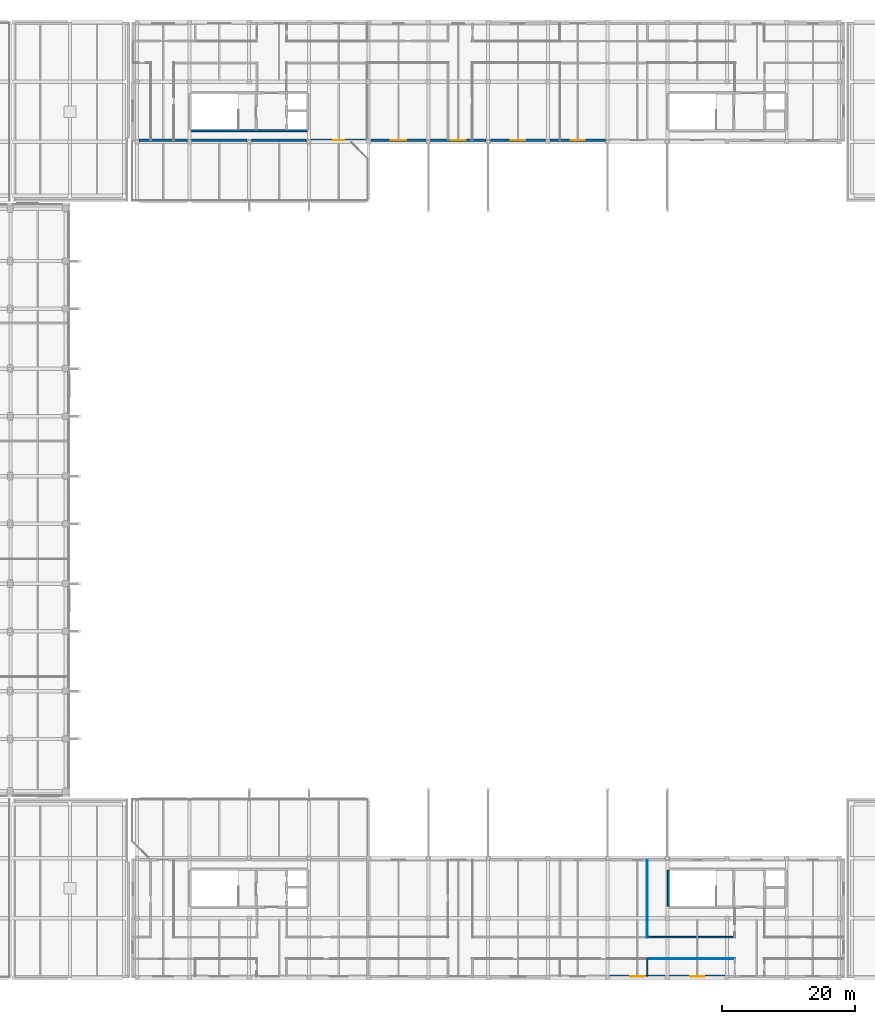
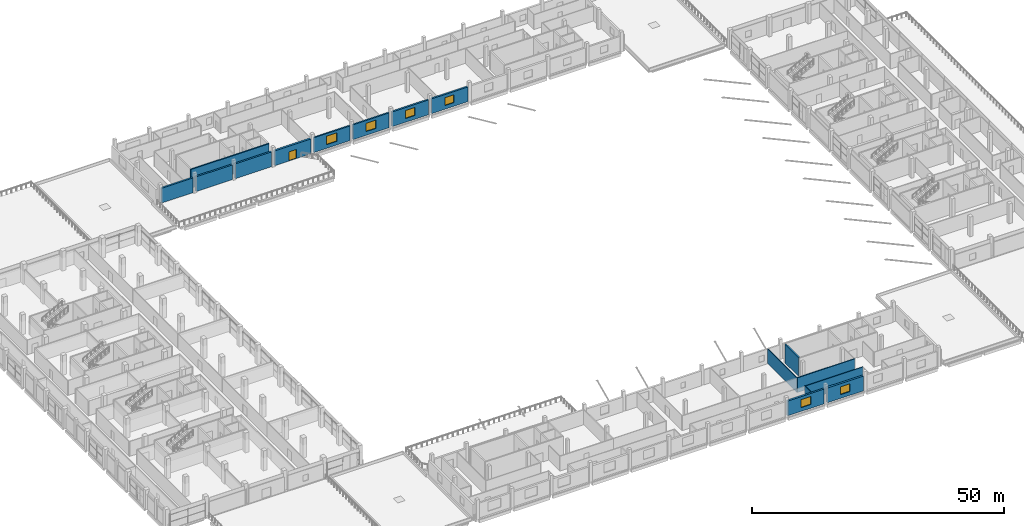
# One storey, part 52 of 82: 16 walls, 6 windows, 1 door, 7 openings.
"""IFC4 building model written with IfcOpenShell, lengths in metres."""

from ifc_helpers import new_model, si_unit, direction, frame, frame_2d, origin, place, context, subcontext, project, spatial, rectangle, extrude, material, layer, layer_set, type_object, element, fill, save


model = new_model("IFC4")

# Units and contexts
model_context = context("Model", 3, precision=1e-05, world=origin(), true_north=direction((0.0, 1.0)))
body_context = subcontext(model_context, "Body", "Model", "MODEL_VIEW")
ifc_project = project(units=[si_unit("LENGTHUNIT", "METRE"), si_unit("AREAUNIT", "SQUARE_METRE"), si_unit("VOLUMEUNIT", "CUBIC_METRE"), si_unit("PLANEANGLEUNIT", "RADIAN"), si_unit("MASSUNIT", "GRAM", prefix="KILO"), si_unit("THERMODYNAMICTEMPERATUREUNIT", "KELVIN"), si_unit("POWERUNIT", "WATT")], contexts=[model_context])

# Site, building, storey
site_placement = place(None, origin())
site = spatial("IfcSite", under=ifc_project, at=site_placement, CompositionType="ELEMENT")
building_placement = place(site_placement, origin())
building = spatial("IfcBuilding", under=site, at=building_placement, Name="Sindhuravela Promenade Stadium", CompositionType="ELEMENT")
storey_placement = place(building_placement, frame((0.0, 0.0, 14.39990234375)))
storey = spatial("IfcBuildingStorey", under=building, at=storey_placement, Name="L03", CompositionType="ELEMENT", Elevation=14.39990234375)

# Wall, opening, window
ifc_material_1 = material(Name="Terracotta clay brick masonry (15 MPa)", Category="masonry")
ifc_layer_1 = layer(ifc_material_1, 0.340087890625)
ifc_layer_set_1 = layer_set([ifc_layer_1], Name="Terracotta clay brick masonry (15 MPa)")
wall_type_1 = type_object("IfcWallType", Name="EX-WL-BRK340", PredefinedType="SOLIDWALL", material=ifc_layer_set_1)
wall_1_placement = place(storey_placement, frame((98.669921875, 135.199951171875, 0.0), z_axis=(0.0, 0.0, 1.0), x_axis=(-1.0, 0.0, 0.0)))
wall_1 = element("IfcWall", 1, at=wall_1_placement, inside=storey, type_object=wall_type_1, Name="Exterior masonry wall EW06 NORTH L03", PredefinedType="SOLIDWALL", context=body_context, shape_type="SweptSolid", body=[
    extrude(rectangle(XDim=8.33984375, YDim=0.340087890625, at=frame_2d((4.169921875, 0.0))), origin(), (0.0, 0.0, 1.0), 3.580078125),
])
opening_1_placement = place(wall_1_placement, frame((2.969970703125, 0.0, 0.89990234375)))
opening_1 = element("IfcOpeningElement", 2, at=opening_1_placement, cuts=wall_1, Name="Opening W14", PredefinedType="OPENING", context=body_context, shape_type="SweptSolid", body=[
    extrude(rectangle(XDim=2.39990234375, YDim=2.050048828125, at=frame_2d((1.199951171875, 1.02490234375))), frame((0.0, 0.179931640625, 0.0), z_axis=(0.0, -1.0, 0.0), x_axis=(1.0, 0.0, 0.0)), (0.0, 0.0, 1.0), 0.360107421875),
])
ifc_material_2 = material(Name="Tempered laminated low-E glass", Category="glass")
window_type_1 = type_object("IfcWindowType", Name="WN-FAC-2400x2050", PartitioningType="DOUBLE_PANEL_VERTICAL", PredefinedType="WINDOW", material=ifc_material_2)
window_1_placement = place(opening_1_placement, origin())
window_1 = element("IfcWindow", 3, at=window_1_placement, inside=storey, type_object=window_type_1, Name="Window W14 NORTH L03", OverallHeight=2.050048828125, OverallWidth=2.39990234375, PartitioningType="DOUBLE_PANEL_VERTICAL", PredefinedType="WINDOW", context=body_context, shape_type="SweptSolid", body=[
    extrude(rectangle(XDim=2.39990234375, YDim=2.050048828125, at=frame_2d((1.199951171875, 1.02490234375))), frame((0.0, 0.030029296875, 0.0), z_axis=(0.0, -1.0, 0.0), x_axis=(1.0, 0.0, 0.0)), (0.0, 0.0, 1.0), 0.06005859375),
])
fill(opening_1, window_1)

ifc_layer_2 = layer(ifc_material_1, 0.360107421875)
ifc_layer_set_2 = layer_set([ifc_layer_2], Name="Terracotta clay brick masonry (15 MPa)")
wall_type_2 = type_object("IfcWallType", Name="EX-WL-BRK360", PredefinedType="SOLIDWALL", material=ifc_layer_set_2)
wall_2_placement = place(storey_placement, frame((107.669921875, 135.199951171875, 0.0), z_axis=(0.0, 0.0, 1.0), x_axis=(-1.0, 0.0, 0.0)))
wall_2 = element("IfcWall", 4, at=wall_2_placement, inside=storey, type_object=wall_type_2, Name="Exterior masonry wall EW05 NORTH L03", PredefinedType="SOLIDWALL", context=body_context, shape_type="SweptSolid", body=[
    extrude(rectangle(XDim=8.33984375, YDim=0.360107421875, at=frame_2d((4.169921875, 0.0))), origin(), (0.0, 0.0, 1.0), 3.580078125),
])
opening_2_placement = place(wall_2_placement, frame((3.02001953125, 0.0, 0.89990234375)))
opening_2 = element("IfcOpeningElement", 5, at=opening_2_placement, cuts=wall_2, Name="Opening W13", PredefinedType="OPENING", context=body_context, shape_type="SweptSolid", body=[
    extrude(rectangle(XDim=2.300048828125, YDim=2.0, at=frame_2d((1.14990234375, 1.0))), frame((0.0, 0.18994140625, 0.0), z_axis=(0.0, -1.0, 0.0), x_axis=(1.0, 0.0, 0.0)), (0.0, 0.0, 1.0), 0.380126953125),
])
window_type_2 = type_object("IfcWindowType", Name="WN-FAC-2300x2000", PartitioningType="DOUBLE_PANEL_VERTICAL", PredefinedType="WINDOW", material=ifc_material_2)
window_2_placement = place(opening_2_placement, origin())
window_2 = element("IfcWindow", 6, at=window_2_placement, inside=storey, type_object=window_type_2, Name="Window W13 NORTH L03", OverallHeight=2.0, OverallWidth=2.300048828125, PartitioningType="DOUBLE_PANEL_VERTICAL", PredefinedType="WINDOW", context=body_context, shape_type="SweptSolid", body=[
    extrude(rectangle(XDim=2.300048828125, YDim=2.0, at=frame_2d((1.14990234375, 1.0))), frame((0.0, 0.030029296875, 0.0), z_axis=(0.0, -1.0, 0.0), x_axis=(1.0, 0.0, 0.0)), (0.0, 0.0, 1.0), 0.06005859375),
])
fill(opening_2, window_2)

ifc_layer_3 = layer(ifc_material_1, 0.3798828125)
ifc_layer_set_3 = layer_set([ifc_layer_3], Name="Terracotta clay brick masonry (15 MPa)")
wall_type_3 = type_object("IfcWallType", Name="EX-WL-BRK380", PredefinedType="SOLIDWALL", material=ifc_layer_set_3)
wall_3_placement = place(storey_placement, frame((116.669921875, 135.199951171875, 0.0), z_axis=(0.0, 0.0, 1.0), x_axis=(-1.0, 0.0, 0.0)))
wall_3 = element("IfcWall", 7, at=wall_3_placement, inside=storey, type_object=wall_type_3, Name="Exterior masonry wall EW04 NORTH L03", PredefinedType="SOLIDWALL", context=body_context, shape_type="SweptSolid", body=[
    extrude(rectangle(XDim=8.33984375, YDim=0.3798828125, at=frame_2d((4.169921875, 0.0))), origin(), (0.0, 0.0, 1.0), 3.580078125),
])
opening_3_placement = place(wall_3_placement, frame((3.070068359375, 0.0, 0.89990234375)))
opening_3 = element("IfcOpeningElement", 8, at=opening_3_placement, cuts=wall_3, Name="Opening W12", PredefinedType="OPENING", context=body_context, shape_type="SweptSolid", body=[
    extrude(rectangle(XDim=2.199951171875, YDim=1.949951171875, at=frame_2d((1.10009765625, 0.97509765625))), frame((0.0, 0.199951171875, 0.0), z_axis=(0.0, -1.0, 0.0), x_axis=(1.0, 0.0, 0.0)), (0.0, 0.0, 1.0), 0.39990234375),
])
window_type_3 = type_object("IfcWindowType", Name="WN-FAC-2200x1950", PartitioningType="DOUBLE_PANEL_VERTICAL", PredefinedType="WINDOW", material=ifc_material_2)
window_3_placement = place(opening_3_placement, origin())
window_3 = element("IfcWindow", 9, at=window_3_placement, inside=storey, type_object=window_type_3, Name="Window W12 NORTH L03", OverallHeight=1.949951171875, OverallWidth=2.199951171875, PartitioningType="DOUBLE_PANEL_VERTICAL", PredefinedType="WINDOW", context=body_context, shape_type="SweptSolid", body=[
    extrude(rectangle(XDim=2.199951171875, YDim=1.949951171875, at=frame_2d((1.10009765625, 0.97509765625))), frame((0.0, 0.030029296875, 0.0), z_axis=(0.0, -1.0, 0.0), x_axis=(1.0, 0.0, 0.0)), (0.0, 0.0, 1.0), 0.06005859375),
])
fill(opening_3, window_3)

# Wall
wall_4_placement = place(storey_placement, frame((62.669921875, 135.199951171875, 0.0), z_axis=(0.0, 0.0, 1.0), x_axis=(-1.0, 0.0, 0.0)))
element("IfcWall", 10, at=wall_4_placement, inside=storey, type_object=wall_type_3, Name="Exterior masonry wall EW04 NORTH L03", PredefinedType="SOLIDWALL", context=body_context, shape_type="SweptSolid", body=[
    extrude(rectangle(XDim=7.239990234375, YDim=0.3798828125, at=frame_2d((3.6201171875, 0.0))), origin(), (0.0, 0.0, 1.0), 3.580078125),
])

# Wall, opening, window
ifc_layer_4 = layer(ifc_material_1, 0.39990234375)
ifc_layer_set_4 = layer_set([ifc_layer_4], Name="Terracotta clay brick masonry (15 MPa)")
wall_type_4 = type_object("IfcWallType", Name="EX-WL-BRK400", PredefinedType="SOLIDWALL", material=ifc_layer_set_4)
wall_5_placement = place(storey_placement, frame((125.669921875, 135.199951171875, 0.0), z_axis=(0.0, 0.0, 1.0), x_axis=(-1.0, 0.0, 0.0)))
wall_5 = element("IfcWall", 11, at=wall_5_placement, inside=storey, type_object=wall_type_4, Name="Exterior masonry wall EW03 NORTH L03", PredefinedType="SOLIDWALL", context=body_context, shape_type="SweptSolid", body=[
    extrude(rectangle(XDim=8.33984375, YDim=0.39990234375, at=frame_2d((4.169921875, 0.0))), origin(), (0.0, 0.0, 1.0), 3.580078125),
])
opening_4_placement = place(wall_5_placement, frame((3.1201171875, 0.0, 0.89990234375)))
opening_4 = element("IfcOpeningElement", 12, at=opening_4_placement, cuts=wall_5, Name="Opening W11", PredefinedType="OPENING", context=body_context, shape_type="SweptSolid", body=[
    extrude(rectangle(XDim=2.10009765625, YDim=1.89990234375, at=frame_2d((1.050048828125, 0.949951171875))), frame((0.0, 0.2099609375, 0.0), z_axis=(0.0, -1.0, 0.0), x_axis=(1.0, 0.0, 0.0)), (0.0, 0.0, 1.0), 0.419921875),
])
window_type_4 = type_object("IfcWindowType", Name="WN-FAC-2100x1900", PartitioningType="DOUBLE_PANEL_VERTICAL", PredefinedType="WINDOW", material=ifc_material_2)
window_4_placement = place(opening_4_placement, origin())
window_4 = element("IfcWindow", 13, at=window_4_placement, inside=storey, type_object=window_type_4, Name="Window W11 NORTH L03", OverallHeight=1.89990234375, OverallWidth=2.10009765625, PartitioningType="DOUBLE_PANEL_VERTICAL", PredefinedType="WINDOW", context=body_context, shape_type="SweptSolid", body=[
    extrude(rectangle(XDim=2.10009765625, YDim=1.89990234375, at=frame_2d((1.050048828125, 0.949951171875))), frame((0.0, 0.030029296875, 0.0), z_axis=(0.0, -1.0, 0.0), x_axis=(1.0, 0.0, 0.0)), (0.0, 0.0, 1.0), 0.06005859375),
])
fill(opening_4, window_4)

# Walls
wall_6_placement = place(storey_placement, frame((71.669921875, 135.199951171875, 0.0), z_axis=(0.0, 0.0, 1.0), x_axis=(-1.0, 0.0, 0.0)))
element("IfcWall", 14, at=wall_6_placement, inside=storey, type_object=wall_type_4, Name="Exterior masonry wall EW03 NORTH L03", PredefinedType="SOLIDWALL", context=body_context, shape_type="SweptSolid", body=[
    extrude(rectangle(XDim=8.33984375, YDim=0.39990234375, at=frame_2d((4.169921875, 0.0))), origin(), (0.0, 0.0, 1.0), 3.580078125),
])
ifc_layer_5 = layer(ifc_material_1, 0.419921875)
ifc_layer_set_5 = layer_set([ifc_layer_5], Name="Terracotta clay brick masonry (15 MPa)")
wall_type_5 = type_object("IfcWallType", Name="EX-WL-BRK420", PredefinedType="SOLIDWALL", material=ifc_layer_set_5)
wall_7_placement = place(storey_placement, frame((80.669921875, 135.199951171875, 0.0), z_axis=(0.0, 0.0, 1.0), x_axis=(-1.0, 0.0, 0.0)))
element("IfcWall", 15, at=wall_7_placement, inside=storey, type_object=wall_type_5, Name="Exterior masonry wall EW02 NORTH L03", PredefinedType="SOLIDWALL", context=body_context, shape_type="SweptSolid", body=[
    extrude(rectangle(XDim=8.33984375, YDim=0.419921875, at=frame_2d((4.169921875, 0.0))), origin(), (0.0, 0.0, 1.0), 3.580078125),
])

# Wall, opening, window
wall_8_placement = place(storey_placement, frame((134.669921875, 9.199951171875, 0.0), z_axis=(0.0, 0.0, 1.0), x_axis=(-1.0, 0.0, 0.0)))
wall_8 = element("IfcWall", 16, at=wall_8_placement, inside=storey, type_object=wall_type_5, Name="Exterior masonry wall EW02 SOUTH L03", PredefinedType="SOLIDWALL", context=body_context, shape_type="SweptSolid", body=[
    extrude(rectangle(XDim=8.33984375, YDim=0.419921875, at=frame_2d((4.169921875, 0.0))), origin(), (0.0, 0.0, 1.0), 3.580078125),
])
opening_5_placement = place(wall_8_placement, frame((3.070068359375, 0.0, 0.89990234375)))
opening_5 = element("IfcOpeningElement", 17, at=opening_5_placement, cuts=wall_8, Name="Opening W12", PredefinedType="OPENING", context=body_context, shape_type="SweptSolid", body=[
    extrude(rectangle(XDim=2.199951171875, YDim=1.949951171875, at=frame_2d((1.10009765625, 0.97509765625))), frame((0.0, 0.219970703125, 0.0), z_axis=(0.0, -1.0, 0.0), x_axis=(1.0, 0.0, 0.0)), (0.0, 0.0, 1.0), 0.43994140625),
])
window_5_placement = place(opening_5_placement, origin())
window_5 = element("IfcWindow", 18, at=window_5_placement, inside=storey, type_object=window_type_3, Name="Window W12 SOUTH L03", OverallHeight=1.949951171875, OverallWidth=2.199951171875, PartitioningType="DOUBLE_PANEL_VERTICAL", PredefinedType="WINDOW", context=body_context, shape_type="SweptSolid", body=[
    extrude(rectangle(XDim=2.199951171875, YDim=1.949951171875, at=frame_2d((1.10009765625, 0.97509765625))), frame((0.0, 0.030029296875, 0.0), z_axis=(0.0, -1.0, 0.0), x_axis=(1.0, 0.0, 0.0)), (0.0, 0.0, 1.0), 0.06005859375),
])
fill(opening_5, window_5)

# Wall, opening, door
ifc_layer_6 = layer(ifc_material_1, 0.4599609375)
ifc_layer_set_6 = layer_set([ifc_layer_6], Name="Terracotta clay brick masonry (15 MPa)")
wall_type_6 = type_object("IfcWallType", Name="EX-WL-BRK460", PredefinedType="SOLIDWALL", material=ifc_layer_set_6)
wall_9_placement = place(storey_placement, frame((89.669921875, 135.199951171875, 0.0), z_axis=(0.0, 0.0, 1.0), x_axis=(-1.0, 0.0, 0.0)))
wall_9 = element("IfcWall", 19, at=wall_9_placement, inside=storey, type_object=wall_type_6, Name="Exterior masonry wall EW01 NORTH L03", PredefinedType="SOLIDWALL", context=body_context, shape_type="SweptSolid", body=[
    extrude(rectangle(XDim=8.33984375, YDim=0.4599609375, at=frame_2d((4.169921875, 0.0))), origin(), (0.0, 0.0, 1.0), 3.580078125),
])
opening_6_placement = place(wall_9_placement, frame((3.344970703125, 0.0, 0.0)))
opening_6 = element("IfcOpeningElement", 20, at=opening_6_placement, cuts=wall_9, Name="Opening TD03", PredefinedType="OPENING", context=body_context, shape_type="SweptSolid", body=[
    extrude(rectangle(XDim=1.64990234375, YDim=2.199951171875, at=frame_2d((0.824951171875, 1.10009765625))), frame((0.0, 0.239990234375, 0.0), z_axis=(0.0, -1.0, 0.0), x_axis=(1.0, 0.0, 0.0)), (0.0, 0.0, 1.0), 0.47998046875),
])
ifc_material_3 = material(Name="Anodised architectural aluminium 6063-T6", Category="aluminium")
door_type = type_object("IfcDoorType", Name="DR-TER-1650x2200", OperationType="DOUBLE_DOOR_SINGLE_SWING", PredefinedType="DOOR", material=ifc_material_3)
door_placement = place(opening_6_placement, origin())
door = element("IfcDoor", 21, at=door_placement, inside=storey, type_object=door_type, Name="Terrace access door North Stand Planted Roof Garden", OperationType="DOUBLE_DOOR_SINGLE_SWING", OverallHeight=2.199951171875, OverallWidth=1.64990234375, PredefinedType="DOOR", context=body_context, shape_type="SweptSolid", body=[
    extrude(rectangle(XDim=1.64990234375, YDim=2.199951171875, at=frame_2d((0.824951171875, 1.10009765625))), frame((0.0, 0.02490234375, 0.0), z_axis=(0.0, -1.0, 0.0), x_axis=(1.0, 0.0, 0.0)), (0.0, 0.0, 1.0), 0.050048828125),
])
fill(opening_6, door)

# Wall, opening, window
wall_10_placement = place(storey_placement, frame((143.669921875, 9.199951171875, 0.0), z_axis=(0.0, 0.0, 1.0), x_axis=(-1.0, 0.0, 0.0)))
wall_10 = element("IfcWall", 22, at=wall_10_placement, inside=storey, type_object=wall_type_6, Name="Exterior masonry wall EW01 SOUTH L03", PredefinedType="SOLIDWALL", context=body_context, shape_type="SweptSolid", body=[
    extrude(rectangle(XDim=8.33984375, YDim=0.4599609375, at=frame_2d((4.169921875, 0.0))), origin(), (0.0, 0.0, 1.0), 3.580078125),
])
opening_7_placement = place(wall_10_placement, frame((3.1201171875, 0.0, 0.89990234375)))
opening_7 = element("IfcOpeningElement", 23, at=opening_7_placement, cuts=wall_10, Name="Opening W11", PredefinedType="OPENING", context=body_context, shape_type="SweptSolid", body=[
    extrude(rectangle(XDim=2.10009765625, YDim=1.89990234375, at=frame_2d((1.050048828125, 0.949951171875))), frame((0.0, 0.239990234375, 0.0), z_axis=(0.0, -1.0, 0.0), x_axis=(1.0, 0.0, 0.0)), (0.0, 0.0, 1.0), 0.47998046875),
])
window_6_placement = place(opening_7_placement, origin())
window_6 = element("IfcWindow", 24, at=window_6_placement, inside=storey, type_object=window_type_4, Name="Window W11 SOUTH L03", OverallHeight=1.89990234375, OverallWidth=2.10009765625, PartitioningType="DOUBLE_PANEL_VERTICAL", PredefinedType="WINDOW", context=body_context, shape_type="SweptSolid", body=[
    extrude(rectangle(XDim=2.10009765625, YDim=1.89990234375, at=frame_2d((1.050048828125, 0.949951171875))), frame((0.0, 0.030029296875, 0.0), z_axis=(0.0, -1.0, 0.0), x_axis=(1.0, 0.0, 0.0)), (0.0, 0.0, 1.0), 0.06005859375),
])
fill(opening_7, window_6)

# Walls
ifc_material_4 = material(Name="Fire-rated gypsum partition board", Category="gypsum")
ifc_layer_7 = layer(ifc_material_4, 0.14990234375)
ifc_layer_set_7 = layer_set([ifc_layer_7], Name="Fire-rated gypsum partition board")
wall_type_7 = type_object("IfcWallType", Name="IN-WL-PAR150", PredefinedType="PARTITIONING", material=ifc_layer_set_7)
wall_11_placement = place(storey_placement, frame((131.98681640625, 26.760009765625, 0.0), z_axis=(0.0, 0.0, 1.0), x_axis=(0.0, -1.0, 0.0)))
element("IfcWall", 25, at=wall_11_placement, inside=storey, type_object=wall_type_7, Name="Interior partition IW04 SOUTH L03", PredefinedType="PARTITIONING", context=body_context, shape_type="SweptSolid", body=[
    extrude(rectangle(XDim=11.699951171875, YDim=0.14990234375, at=frame_2d((5.85009765625, 0.0))), origin(), (0.0, 0.0, 1.0), 3.56005859375),
])
wall_12_placement = place(storey_placement, frame((132.026611328125, 11.860107421875, 0.0), z_axis=(0.0, 0.0, 1.0), x_axis=(1.0, 0.0, 0.0)))
element("IfcWall", 26, at=wall_12_placement, inside=storey, type_object=wall_type_7, Name="Interior partition IW04 SOUTH L03", PredefinedType="PARTITIONING", context=body_context, shape_type="SweptSolid", body=[
    extrude(rectangle(XDim=13.21337890625, YDim=0.14990234375, at=frame_2d((6.606689453125, 0.0))), origin(), (0.0, 0.0, 1.0), 3.56005859375),
])
ifc_layer_8 = layer(ifc_material_4, 0.175048828125)
ifc_layer_set_8 = layer_set([ifc_layer_8], Name="Fire-rated gypsum partition board")
wall_type_8 = type_object("IfcWallType", Name="IN-WL-PAR175", PredefinedType="PARTITIONING", material=ifc_layer_set_8)
wall_13_placement = place(storey_placement, frame((131.98681640625, 9.239990234375, 0.0), z_axis=(0.0, 0.0, 1.0), x_axis=(0.0, 1.0, 0.0)))
element("IfcWall", 27, at=wall_13_placement, inside=storey, type_object=wall_type_8, Name="Interior partition IW03 SOUTH L03", PredefinedType="PARTITIONING", context=body_context, shape_type="SweptSolid", body=[
    extrude(rectangle(XDim=2.699951171875, YDim=0.175048828125, at=frame_2d((1.35009765625, 0.0))), origin(), (0.0, 0.0, 1.0), 3.56005859375),
])
ifc_layer_9 = layer(ifc_material_4, 0.219970703125)
ifc_layer_set_9 = layer_set([ifc_layer_9], Name="Fire-rated gypsum partition board")
wall_type_9 = type_object("IfcWallType", Name="IN-WL-PAR220", PredefinedType="PARTITIONING", material=ifc_layer_set_9)
wall_14_placement = place(storey_placement, frame((145.239990234375, 15.139892578125, 0.0), z_axis=(0.0, 0.0, 1.0), x_axis=(-1.0, 0.0, 0.0)))
element("IfcWall", 28, at=wall_14_placement, inside=storey, type_object=wall_type_9, Name="Interior partition IW01 SOUTH L03", PredefinedType="PARTITIONING", context=body_context, shape_type="SweptSolid", body=[
    extrude(rectangle(XDim=13.21337890625, YDim=0.219970703125, at=frame_2d((6.606689453125, 0.0))), origin(), (0.0, 0.0, 1.0), 3.56005859375),
])
ifc_material_5 = material(Name="Concrete M50", Category="concrete")
ifc_layer_10 = layer(ifc_material_5, 0.300048828125)
ifc_layer_set_10 = layer_set([ifc_layer_10], Name="Concrete M50")
wall_type_10 = type_object("IfcWallType", Name="RC-SW-300", PredefinedType="SHEAR", material=ifc_layer_set_10)
wall_15_placement = place(storey_placement, frame((63.0, 136.64990234375, 0.0), z_axis=(0.0, 0.0, 1.0), x_axis=(1.0, 0.0, 0.0)))
element("IfcWall", 29, at=wall_15_placement, inside=storey, type_object=wall_type_10, Name="Core shear wall C09-S (L03)", PredefinedType="SHEAR", context=body_context, shape_type="SweptSolid", body=[
    extrude(rectangle(XDim=18.0, YDim=0.300048828125, at=frame_2d((9.0, 0.0))), origin(), (0.0, 0.0, 1.0), 4.55517578125),
])
wall_16_placement = place(storey_placement, frame((135.14990234375, 25.199951171875, 0.0), z_axis=(0.0, 0.0, 1.0), x_axis=(0.0, -1.0, 0.0)))
element("IfcWall", 30, at=wall_16_placement, inside=storey, type_object=wall_type_10, Name="Core shear wall C12-W (L03)", PredefinedType="SHEAR", context=body_context, shape_type="SweptSolid", body=[
    extrude(rectangle(XDim=5.39990234375, YDim=0.300048828125, at=frame_2d((2.699951171875, 0.0))), origin(), (0.0, 0.0, 1.0), 4.55517578125),
])

save(model, "model.ifc")
